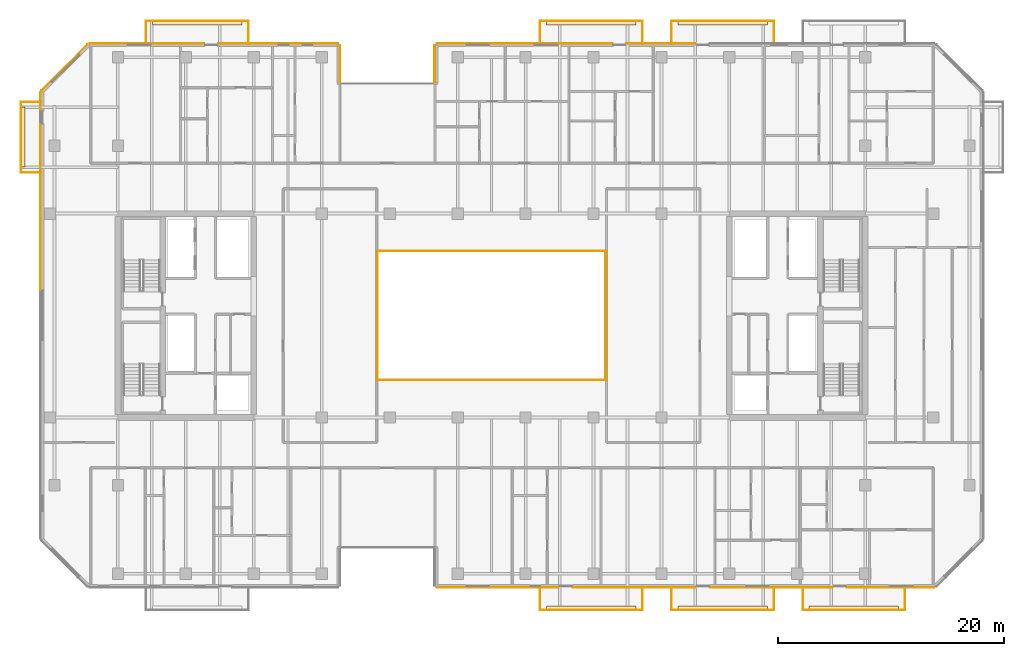
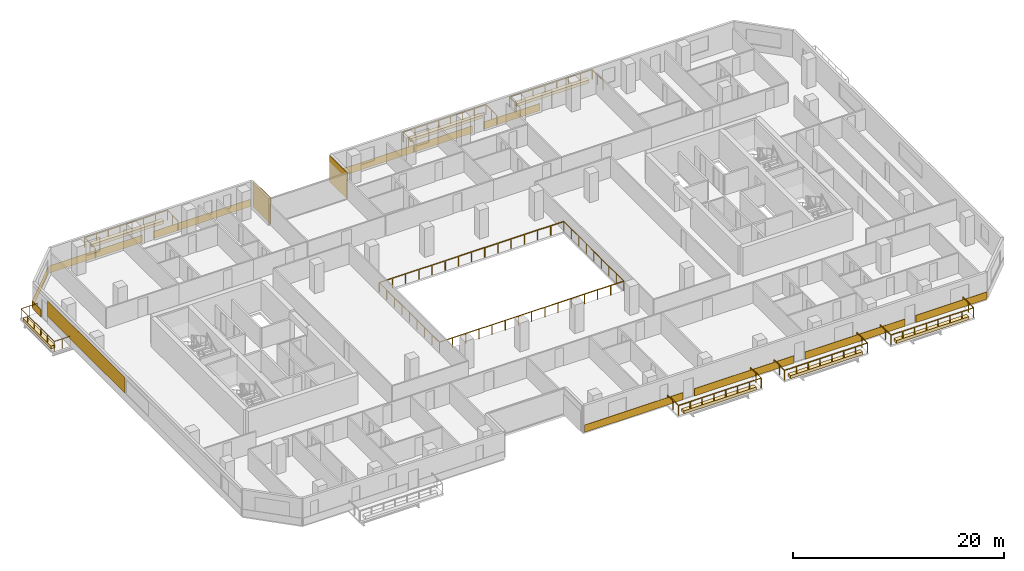
# One storey, part 21 of 23: 20 coverings, 9 railings.
"""IFC4 building model written with IfcOpenShell, lengths in metres."""

import ifcopenshell
import ifcopenshell.guid

model = None  # the IFC model being written
_history = None  # IfcOwnerHistory: only IFC2X3 demands one
_inside = {}  # id of a spatial element -> (the spatial element, [elements in it])
_under = {}  # id of a project, library or spatial element -> (it, [spatial elements below it])
_declared = {}  # id of a project -> (the project, [libraries it declares])
_typed = {}  # id of a type object -> (the type object, [elements of that type])
_made_of = {}  # id of a material, layer set ... -> (it, [elements and type objects made of it])


def new_model(schema):
    """Start an empty IFC model of exactly this schema.

    Asked for "IFC4X3", IfcOpenShell would pick the latest addendum, in which some entities
    have other attributes; the version numbers below select the first issue.
    IFC2X3 requires an IfcOwnerHistory on every rooted entity: one is made here for all.
    """
    global model, _history
    if schema == "IFC4X3":
        model = ifcopenshell.file(schema_version=(4, 3, 0, 0))
    else:
        model = ifcopenshell.file(schema=schema)
    _inside.clear()
    _under.clear()
    _declared.clear()
    _typed.clear()
    _made_of.clear()
    _history = None
    if model.schema == "IFC2X3":
        org = make("IfcOrganization", Name="unknown")
        user = make(
            "IfcPersonAndOrganization",
            ThePerson=make("IfcPerson", FamilyName="unknown"),
            TheOrganization=org,
        )
        app = make(
            "IfcApplication",
            ApplicationDeveloper=org,
            Version="unknown",
            ApplicationFullName="unknown",
            ApplicationIdentifier="unknown",
        )
        _history = make(
            "IfcOwnerHistory",
            OwningUser=user,
            OwningApplication=app,
            ChangeAction="ADDED",
            CreationDate=0,
        )
    return model


def make(cls, **values):
    """One entity of the class cls with the attributes given. An attribute that is None is left unset."""
    return model.create_entity(
        cls, **{name: value for name, value in values.items() if value is not None}
    )


def rooted(cls, **values):
    """An entity with a GlobalId (a new one), such as an element, a storey or a relation."""
    return make(cls, GlobalId=ifcopenshell.guid.new(), OwnerHistory=_history, **values)


def si_unit(unit_type, name, prefix=None):
    """IfcSIUnit, for example si_unit("LENGTHUNIT", "METRE", prefix="MILLI")."""
    return make("IfcSIUnit", UnitType=unit_type, Prefix=prefix, Name=name)


def assignment(units):
    """IfcUnitAssignment: the units of a project."""
    return None if units is None else make("IfcUnitAssignment", Units=units)


def point(xyz):
    """IfcCartesianPoint."""
    return None if xyz is None else make("IfcCartesianPoint", Coordinates=xyz)


def direction(xyz):
    """IfcDirection."""
    return None if xyz is None else make("IfcDirection", DirectionRatios=xyz)


def frame(location, z_axis=None, x_axis=None):
    """IfcAxis2Placement3D, a coordinate frame: its origin and axes. An axis left out is left unset."""
    return make(
        "IfcAxis2Placement3D",
        Location=point(location),
        Axis=direction(z_axis),
        RefDirection=direction(x_axis),
    )


def frame_2d(location, x_axis=None):
    """IfcAxis2Placement2D, a coordinate frame in the plane: its origin and x axis."""
    return make(
        "IfcAxis2Placement2D", Location=point(location), RefDirection=direction(x_axis)
    )


def origin():
    """The frame at (0, 0, 0) with its axes left unset."""
    return frame((0.0, 0.0, 0.0))


def origin_2d():
    """The frame at (0, 0) in the plane with its x axis left unset."""
    return frame_2d((0.0, 0.0))


def place(relative_to, where):
    """IfcLocalPlacement: puts the frame where relative to a parent placement (None: the world)."""
    return make(
        "IfcLocalPlacement", PlacementRelTo=relative_to, RelativePlacement=where
    )


def context(
    kind, dimensions, precision=None, world=None, true_north=None, identifier=None
):
    """IfcGeometricRepresentationContext, for example the 3D "Model" context."""
    return make(
        "IfcGeometricRepresentationContext",
        ContextIdentifier=identifier,
        ContextType=kind,
        CoordinateSpaceDimension=dimensions,
        Precision=precision,
        WorldCoordinateSystem=world,
        TrueNorth=true_north,
    )


def subcontext(parent, identifier, kind, view, scale=None):
    """IfcGeometricRepresentationSubContext, for example "Body" below "Model"."""
    return make(
        "IfcGeometricRepresentationSubContext",
        ContextIdentifier=identifier,
        ContextType=kind,
        ParentContext=parent,
        TargetScale=scale,
        TargetView=view,
    )


def project(units=None, contexts=None):
    """IfcProject with its units and contexts."""
    return rooted(
        "IfcProject",
        Name="project",
        RepresentationContexts=contexts,
        UnitsInContext=assignment(units),
    )


def spatial(cls, under=None, at=None, **own):
    """A site, building, storey or space (cls), placed at a placement, below another one or the project."""
    s = rooted(cls, ObjectPlacement=at, **own)
    if under is not None:
        _under.setdefault(under.id(), (under, []))[1].append(s)
    return s


def polyline(points):
    """IfcPolyline through the points."""
    return make("IfcPolyline", Points=[point(p) for p in points])


def profile(cls, at=None, kind="AREA", **sizes):
    """A parametric profile (cls). Its sizes go by their IFC names, for example OverallWidth=200.0."""
    return make(cls, ProfileType=kind, Position=at, **sizes)


def rectangle(**sizes):
    """IfcRectangleProfileDef."""
    return profile("IfcRectangleProfileDef", **sizes)


def outline(outer, holes=None, kind="AREA"):
    """IfcArbitraryClosedProfileDef: a profile drawn as a closed curve; with holes, ...WithVoids."""
    if holes is None:
        return make("IfcArbitraryClosedProfileDef", ProfileType=kind, OuterCurve=outer)
    return make(
        "IfcArbitraryProfileDefWithVoids",
        ProfileType=kind,
        OuterCurve=outer,
        InnerCurves=holes,
    )


def extrude(swept, where, along, depth):
    """IfcExtrudedAreaSolid: the profile swept, set in the frame where, extruded along a direction by depth."""
    return make(
        "IfcExtrudedAreaSolid",
        SweptArea=swept,
        Position=where,
        ExtrudedDirection=direction(along),
        Depth=depth,
    )


def shape(context_of_items, identifier, shape_type, items):
    """IfcShapeRepresentation: the items that make up one representation, for example the "Body"."""
    return make(
        "IfcShapeRepresentation",
        ContextOfItems=context_of_items,
        RepresentationIdentifier=identifier,
        RepresentationType=shape_type,
        Items=items,
    )


def material(Name=None, Category=None):
    """IfcMaterial."""
    return make("IfcMaterial", Name=Name, Category=Category)


def layer(
    of_material, thickness, ventilated=None, Name=None, Category=None, Priority=None
):
    """IfcMaterialLayer: one layer of a wall or slab, of a material (None: an air gap)."""
    return make(
        "IfcMaterialLayer",
        Material=of_material,
        LayerThickness=thickness,
        IsVentilated=ventilated,
        Name=Name,
        Category=Category,
        Priority=Priority,
    )


def layer_set(layers, Name=None):
    """IfcMaterialLayerSet."""
    return make("IfcMaterialLayerSet", MaterialLayers=layers, LayerSetName=Name)


def made_of(thing, what):
    """Note that an element or type object is made of a material, layer set ...; save() writes the relation."""
    if what is not None:
        _made_of.setdefault(what.id(), (what, []))[1].append(thing)
    return thing


def type_object(cls, material=None, **own):
    """A type object (cls), such as IfcWallType, which elements share."""
    return made_of(rooted(cls, **own), material)


def element(
    cls,
    number,
    at=None,
    inside=None,
    cuts=None,
    type_object=None,
    material=None,
    context=None,
    identifier="Body",
    shape_type=None,
    held_by="IfcProductDefinitionShape",
    body=None,
    shapes=None,
    **own,
):
    """One element of the class cls, such as IfcWall. Its Tag is "e" and its number.

    at: its placement. inside: the storey or other place that contains it. cuts: it is an
    opening in that element (IfcRelVoidsElement). A single representation is given by context,
    identifier, shape_type and body (its items); several are given by shapes. held_by: the class
    of the entity that holds the representations. save() writes the other relations.
    """
    e = rooted(cls, Tag="e%d" % number, ObjectPlacement=at, **own)
    if body is not None:
        shapes = [shape(context, identifier, shape_type, body)]
    if shapes is not None:
        e.Representation = make(held_by, Representations=shapes)
    if inside is not None:
        _inside.setdefault(inside.id(), (inside, []))[1].append(e)
    if cuts is not None:
        rooted(
            "IfcRelVoidsElement", RelatingBuildingElement=cuts, RelatedOpeningElement=e
        )
    if type_object is not None:
        _typed.setdefault(type_object.id(), (type_object, []))[1].append(e)
    return made_of(e, material)


def aggregate(whole, parts):
    """IfcRelAggregates: a whole, such as a stair, and the parts it consists of."""
    return rooted("IfcRelAggregates", RelatingObject=whole, RelatedObjects=parts)


def save(model, path):
    """Write the relations noted so far, then the file.

    IfcRelAggregates (storeys below a building ...), IfcRelContainedInSpatialStructure (elements
    in a storey), IfcRelDefinesByType, IfcRelAssociatesMaterial and IfcRelDeclares: one each for
    every whole, place, type object, material and project.
    """
    for whole, parts in _under.values():
        aggregate(whole, parts)
    for where, things in _inside.values():
        rooted(
            "IfcRelContainedInSpatialStructure",
            RelatedElements=things,
            RelatingStructure=where,
        )
    for kind, things in _typed.values():
        rooted("IfcRelDefinesByType", RelatedObjects=things, RelatingType=kind)
    for what, things in _made_of.values():
        rooted("IfcRelAssociatesMaterial", RelatedObjects=things, RelatingMaterial=what)
    for by, libraries in _declared.values():
        rooted("IfcRelDeclares", RelatingContext=by, RelatedDefinitions=libraries)
    model.write(path)


model = new_model("IFC4")

# Units and contexts
model_context = context("Model", 3, precision=1e-05, world=origin(), true_north=direction((0.0, 1.0)))
body_context = subcontext(model_context, "Body", "Model", "MODEL_VIEW")
ifc_project = project(units=[si_unit("LENGTHUNIT", "METRE"), si_unit("AREAUNIT", "SQUARE_METRE"), si_unit("VOLUMEUNIT", "CUBIC_METRE"), si_unit("PLANEANGLEUNIT", "RADIAN"), si_unit("MASSUNIT", "GRAM", prefix="KILO")], contexts=[model_context])

# Site, building, storey
site_placement = place(None, origin())
site = spatial("IfcSite", under=ifc_project, at=site_placement, CompositionType="ELEMENT")
building_placement = place(site_placement, origin())
building = spatial("IfcBuilding", under=site, at=building_placement, Name="Tanjung Sevakor Pilgrim Tower", CompositionType="ELEMENT")
storey_placement = place(building_placement, frame((0.0, 0.0, 82.169921875)))
storey = spatial("IfcBuildingStorey", under=building, at=storey_placement, Name="L22", CompositionType="ELEMENT", Elevation=82.169921875)

# Coverings
ifc_material_1 = material(Name="Reconstructed Limestone Cladding", Category="masonry")
ifc_layer_1 = layer(ifc_material_1, 0.044921875)
ifc_layer_set_1 = layer_set([ifc_layer_1], Name="COV-CLAD-LIMESTONE")
covering_type_1 = type_object("IfcCoveringType", Name="COV-CLAD-LIMESTONE", PredefinedType="CLADDING", material=ifc_layer_set_1)
covering_1_placement = place(storey_placement, frame((57.552490234375, 9.577392578125, 0.01025390625), z_axis=(0.0, 0.0, 1.0), x_axis=(1.0, 0.0, 0.0)))
element("IfcCovering", 1, at=covering_1_placement, inside=storey, type_object=covering_type_1, Name="L22 Warm Limestone Sill Spandrel EW-L22-MAIN-5-1", PredefinedType="CLADDING", context=body_context, shape_type="SweptSolid", body=[
    extrude(rectangle(XDim=10.77490234375, YDim=0.044921875, at=origin_2d()), origin(), (0.0, 0.0, 1.0), 0.840087890625),
])
for number, where, z_axis, x_axis, name in (
    (2, (69.60009765625, 9.577392578125, 0.01025390625), (0.0, 0.0, 1.0), (1.0, 0.0, 0.0), "L22 Warm Limestone Sill Spandrel EW-L22-MAIN-5-2"),
    (3, (81.699951171875, 9.577392578125, 0.01025390625), (0.0, 0.0, 1.0), (1.0, 0.0, 0.0), "L22 Warm Limestone Sill Spandrel EW-L22-MAIN-5-3"),
):
    element("IfcCovering", number, at=place(storey_placement, frame(where, z_axis=z_axis, x_axis=x_axis)), inside=storey, type_object=covering_type_1, Name=name, PredefinedType="CLADDING", context=body_context, shape_type="SweptSolid", body=[
        extrude(rectangle(XDim=10.8798828125, YDim=0.044921875, at=origin_2d()), origin(), (0.0, 0.0, 1.0), 0.840087890625),
    ])
covering_2_placement = place(storey_placement, frame((92.234130859375, 9.577392578125, 0.01025390625), z_axis=(0.0, 0.0, 1.0), x_axis=(1.0, 0.0, 0.0)))
element("IfcCovering", 4, at=covering_2_placement, inside=storey, type_object=covering_type_1, Name="L22 Warm Limestone Sill Spandrel EW-L22-MAIN-5-4", PredefinedType="CLADDING", context=body_context, shape_type="SweptSolid", body=[
    extrude(rectangle(XDim=7.748291015625, YDim=0.044921875, at=origin_2d()), origin(), (0.0, 0.0, 1.0), 0.840087890625),
])
covering_3_placement = place(storey_placement, frame((71.97509765625, 57.62255859375, 0.01025390625), z_axis=(0.0, 0.0, 1.0), x_axis=(-1.0, 0.0, 0.0)))
element("IfcCovering", 5, at=covering_3_placement, inside=storey, type_object=covering_type_1, Name="L22 Warm Limestone Sill Spandrel EW-L22-MAIN-9-3", PredefinedType="CLADDING", context=body_context, shape_type="SweptSolid", body=[
    extrude(rectangle(XDim=6.1298828125, YDim=0.044921875, at=origin_2d()), origin(), (0.0, 0.0, 1.0), 0.840087890625),
])
covering_4_placement = place(storey_placement, frame((59.927490234375, 57.62255859375, 0.01025390625), z_axis=(0.0, 0.0, 1.0), x_axis=(-1.0, 0.0, 0.0)))
element("IfcCovering", 6, at=covering_4_placement, inside=storey, type_object=covering_type_1, Name="L22 Warm Limestone Sill Spandrel EW-L22-MAIN-9-4", PredefinedType="CLADDING", context=body_context, shape_type="SweptSolid", body=[
    extrude(rectangle(XDim=15.52490234375, YDim=0.044921875, at=origin_2d()), origin(), (0.0, 0.0, 1.0), 0.840087890625),
])
for number, where, z_axis, x_axis, name in (
    (7, (51.9775390625, 55.77490234375, 0.02001953125), (0.0, 0.0, 1.0), (0.0, -1.0, 0.0), "L22 Warm Limestone Wall Cladding EW-L22-MAIN-10"),
    (8, (43.62255859375, 55.77490234375, 0.02001953125), (0.0, 0.0, 1.0), (0.0, 1.0, 0.0), "L22 Warm Limestone Wall Cladding EW-L22-MAIN-12"),
):
    element("IfcCovering", number, at=place(storey_placement, frame(where, z_axis=z_axis, x_axis=x_axis)), inside=storey, type_object=covering_type_1, Name=name, PredefinedType="CLADDING", context=body_context, shape_type="SweptSolid", body=[
        extrude(rectangle(XDim=3.360107421875, YDim=0.044921875, at=origin_2d()), origin(), (0.0, 0.0, 1.0), 3.0400390625),
    ])
covering_5_placement = place(storey_placement, frame((38.1474609375, 57.62255859375, 0.01025390625), z_axis=(0.0, 0.0, 1.0), x_axis=(-1.0, 0.0, 0.0)))
element("IfcCovering", 9, at=covering_5_placement, inside=storey, type_object=covering_type_1, Name="L22 Warm Limestone Sill Spandrel EW-L22-MAIN-13-1", PredefinedType="CLADDING", context=body_context, shape_type="SweptSolid", body=[
    extrude(rectangle(XDim=10.574951171875, YDim=0.044921875, at=origin_2d()), origin(), (0.0, 0.0, 1.0), 0.840087890625),
])
covering_6_placement = place(storey_placement, frame((26.56591796875, 57.62255859375, 0.01025390625), z_axis=(0.0, 0.0, 1.0), x_axis=(-1.0, 0.0, 0.0)))
element("IfcCovering", 10, at=covering_6_placement, inside=storey, type_object=covering_type_1, Name="L22 Warm Limestone Sill Spandrel EW-L22-MAIN-13-2", PredefinedType="CLADDING", context=body_context, shape_type="SweptSolid", body=[
    extrude(rectangle(XDim=10.148193359375, YDim=0.044921875, at=origin_2d()), origin(), (0.0, 0.0, 1.0), 0.840087890625),
])
covering_7_placement = place(storey_placement, frame((19.2841796875, 55.515869140625, 0.01025390625), z_axis=(0.0, 0.0, 1.0), x_axis=(-0.707106781187, -0.707106781187, 0.0)))
element("IfcCovering", 11, at=covering_7_placement, inside=storey, type_object=covering_type_1, Name="L22 Warm Limestone Sill Spandrel EW-CHM-L22-MAIN-13-1", PredefinedType="CLADDING", context=body_context, shape_type="SweptSolid", body=[
    extrude(rectangle(XDim=5.756103515625, YDim=0.044921875, at=origin_2d()), origin(), (0.0, 0.0, 1.0), 0.840087890625),
])
covering_8_placement = place(storey_placement, frame((17.177490234375, 52.509033203125, 0.01025390625), z_axis=(0.0, 0.0, 1.0), x_axis=(0.0, -1.0, 0.0)))
element("IfcCovering", 12, at=covering_8_placement, inside=storey, type_object=covering_type_1, Name="L22 Warm Limestone Sill Spandrel EW-L22-MAIN-15-1", PredefinedType="CLADDING", context=body_context, shape_type="SweptSolid", body=[
    extrude(rectangle(XDim=1.59814453125, YDim=0.044921875, at=origin_2d()), origin(), (0.0, 0.0, 1.0), 0.840087890625),
])
covering_9_placement = place(storey_placement, frame((17.177490234375, 43.175048828125, 0.85009765625), z_axis=(0.0, 0.0, 1.0), x_axis=(0.0, -1.0, 0.0)))
element("IfcCovering", 13, at=covering_9_placement, inside=storey, type_object=covering_type_1, Name="L22 Warm Limestone Pier Panel EW-L22-MAIN-15-1", PredefinedType="CLADDING", context=body_context, shape_type="SweptSolid", body=[
    extrude(rectangle(XDim=14.64990234375, YDim=0.044921875, at=origin_2d()), origin(), (0.0, 0.0, 1.0), 1.81005859375),
])
ifc_material_2 = material(Name="Vegetated Modular Planter Assembly", Category="organic")
ifc_layer_2 = layer(ifc_material_2, 0.35009765625)
ifc_layer_set_2 = layer_set([ifc_layer_2], Name="COV-GRN-TROUGH")
covering_type_2 = type_object("IfcCoveringType", Name="COV-GRN-TROUGH", PredefinedType="CLADDING", material=ifc_layer_set_2)
covering_10_placement = place(storey_placement, origin())
element("IfcCovering", 14, at=covering_10_placement, inside=storey, type_object=covering_type_2, Name="L22 Planted Landscape Hedge Trough BGRN-L22-MAIN-N1", PredefinedType="CLADDING", context=body_context, shape_type="SweptSolid", body=[
    extrude(outline(polyline([(27.050048828125, 59.260009765625), (34.949951171875, 59.260009765625), (34.949951171875, 59.699951171875), (27.050048828125, 59.699951171875), (27.050048828125, 59.260009765625)])), origin(), (0.0, 0.0, 1.0), 0.35009765625),
])
covering_11_placement = place(storey_placement, origin())
element("IfcCovering", 15, at=covering_11_placement, inside=storey, type_object=covering_type_2, Name="L22 Planted Landscape Hedge Trough BGRN-L22-MAIN-S2", PredefinedType="CLADDING", context=body_context, shape_type="SweptSolid", body=[
    extrude(outline(polyline([(61.85009765625, 7.5), (69.75, 7.5), (69.75, 7.93994140625), (61.85009765625, 7.93994140625), (61.85009765625, 7.5)])), origin(), (0.0, 0.0, 1.0), 0.35009765625),
])
covering_12_placement = place(storey_placement, origin())
element("IfcCovering", 16, at=covering_12_placement, inside=storey, type_object=covering_type_2, Name="L22 Planted Landscape Hedge Trough BGRN-L22-MAIN-N2", PredefinedType="CLADDING", context=body_context, shape_type="SweptSolid", body=[
    extrude(outline(polyline([(61.85009765625, 59.260009765625), (69.75, 59.260009765625), (69.75, 59.699951171875), (61.85009765625, 59.699951171875), (61.85009765625, 59.260009765625)])), origin(), (0.0, 0.0, 1.0), 0.35009765625),
])
covering_13_placement = place(storey_placement, origin())
element("IfcCovering", 17, at=covering_13_placement, inside=storey, type_object=covering_type_2, Name="L22 Planted Landscape Hedge Trough BGRN-L22-MAIN-S3", PredefinedType="CLADDING", context=body_context, shape_type="SweptSolid", body=[
    extrude(outline(polyline([(73.449951171875, 7.5), (81.35009765625, 7.5), (81.35009765625, 7.93994140625), (73.449951171875, 7.93994140625), (73.449951171875, 7.5)])), origin(), (0.0, 0.0, 1.0), 0.35009765625),
])
covering_14_placement = place(storey_placement, origin())
element("IfcCovering", 18, at=covering_14_placement, inside=storey, type_object=covering_type_2, Name="L22 Planted Landscape Hedge Trough BGRN-L22-MAIN-N3", PredefinedType="CLADDING", context=body_context, shape_type="SweptSolid", body=[
    extrude(outline(polyline([(73.449951171875, 59.260009765625), (81.35009765625, 59.260009765625), (81.35009765625, 59.699951171875), (73.449951171875, 59.699951171875), (73.449951171875, 59.260009765625)])), origin(), (0.0, 0.0, 1.0), 0.35009765625),
])
covering_15_placement = place(storey_placement, origin())
element("IfcCovering", 19, at=covering_15_placement, inside=storey, type_object=covering_type_2, Name="L22 Planted Landscape Hedge Trough BGRN-L22-MAIN-S4", PredefinedType="CLADDING", context=body_context, shape_type="SweptSolid", body=[
    extrude(outline(polyline([(85.050048828125, 7.5), (92.949951171875, 7.5), (92.949951171875, 7.93994140625), (85.050048828125, 7.93994140625), (85.050048828125, 7.5)])), origin(), (0.0, 0.0, 1.0), 0.35009765625),
])
covering_16_placement = place(storey_placement, origin())
element("IfcCovering", 20, at=covering_16_placement, inside=storey, type_object=covering_type_2, Name="L22 Planted Landscape Hedge Trough BGRN-L22-MAIN-W1", PredefinedType="CLADDING", context=body_context, shape_type="SweptSolid", body=[
    extrude(outline(polyline([(15.7900390625, 46.699951171875), (15.7900390625, 52.0), (15.35009765625, 52.0), (15.35009765625, 46.699951171875), (15.7900390625, 46.699951171875)])), origin(), (0.0, 0.0, 1.0), 0.35009765625),
])

# Railings
ifc_material_3 = material(Name="Laminated Glass and Aluminium", Category="aluminium")
railing_type = type_object("IfcRailingType", Name="RL-BAL-BALUST", PredefinedType="BALUSTRADE", material=ifc_material_3)
railing_1_placement = place(storey_placement, frame((46.919921875, 27.919921875, 0.0)))
element("IfcRailing", 21, at=railing_1_placement, inside=storey, type_object=railing_type, Name="L22 Void Opening Balustrade 1A", PredefinedType="BALUSTRADE", context=body_context, shape_type="SweptSolid", body=[
    extrude(rectangle(XDim=0.0479, YDim=0.0479), frame((0.0, 0.0, 1.1259765625), z_axis=(1.0, 0.0, 0.0), x_axis=(0.0, 1.0, 0.0)), (0.0, 0.0, 1.0), 20.16015625),
    extrude(rectangle(XDim=0.0479, YDim=0.0479), frame((20.16015625, 0.0, 1.1259765625), z_axis=(0.0, 1.0, 0.0), x_axis=(-1.0, 0.0, 0.0)), (0.0, 0.0, 1.0), 11.360107421875),
    extrude(rectangle(XDim=0.042, YDim=0.042), origin(), (0.0, 0.0, 1.0), 1.101806640625),
    extrude(rectangle(XDim=0.042, YDim=0.042), frame((1.43994140625, 0.0, 0.0)), (0.0, 0.0, 1.0), 1.101806640625),
    extrude(rectangle(XDim=0.042, YDim=0.042), frame((2.880126953125, 0.0, 0.0)), (0.0, 0.0, 1.0), 1.101806640625),
    extrude(rectangle(XDim=0.042, YDim=0.042), frame((4.320068359375, 0.0, 0.0)), (0.0, 0.0, 1.0), 1.101806640625),
    extrude(rectangle(XDim=0.042, YDim=0.042), frame((5.760009765625, 0.0, 0.0)), (0.0, 0.0, 1.0), 1.101806640625),
    extrude(rectangle(XDim=0.042, YDim=0.042), frame((7.199951171875, 0.0, 0.0)), (0.0, 0.0, 1.0), 1.101806640625),
    extrude(rectangle(XDim=0.042, YDim=0.042), frame((8.64013671875, 0.0, 0.0)), (0.0, 0.0, 1.0), 1.101806640625),
    extrude(rectangle(XDim=0.042, YDim=0.042), frame((10.080078125, 0.0, 0.0)), (0.0, 0.0, 1.0), 1.101806640625),
    extrude(rectangle(XDim=0.042, YDim=0.042), frame((11.52001953125, 0.0, 0.0)), (0.0, 0.0, 1.0), 1.101806640625),
    extrude(rectangle(XDim=0.042, YDim=0.042), frame((12.960205078125, 0.0, 0.0)), (0.0, 0.0, 1.0), 1.101806640625),
    extrude(rectangle(XDim=0.042, YDim=0.042), frame((14.400146484375, 0.0, 0.0)), (0.0, 0.0, 1.0), 1.101806640625),
    extrude(rectangle(XDim=0.042, YDim=0.042), frame((15.840087890625, 0.0, 0.0)), (0.0, 0.0, 1.0), 1.101806640625),
    extrude(rectangle(XDim=0.042, YDim=0.042), frame((17.280029296875, 0.0, 0.0)), (0.0, 0.0, 1.0), 1.101806640625),
    extrude(rectangle(XDim=0.042, YDim=0.042), frame((18.72021484375, 0.0, 0.0)), (0.0, 0.0, 1.0), 1.101806640625),
    extrude(rectangle(XDim=0.042, YDim=0.042), frame((20.16015625, 0.0, 0.0)), (0.0, 0.0, 1.0), 1.101806640625),
    extrude(rectangle(XDim=0.042, YDim=0.042), frame((20.16015625, 1.419921875, 0.0)), (0.0, 0.0, 1.0), 1.101806640625),
    extrude(rectangle(XDim=0.042, YDim=0.042), frame((20.16015625, 2.840087890625, 0.0)), (0.0, 0.0, 1.0), 1.101806640625),
    extrude(rectangle(XDim=0.042, YDim=0.042), frame((20.16015625, 4.260009765625, 0.0)), (0.0, 0.0, 1.0), 1.101806640625),
    extrude(rectangle(XDim=0.042, YDim=0.042), frame((20.16015625, 5.68017578125, 0.0)), (0.0, 0.0, 1.0), 1.101806640625),
    extrude(rectangle(XDim=0.042, YDim=0.042), frame((20.16015625, 7.10009765625, 0.0)), (0.0, 0.0, 1.0), 1.101806640625),
    extrude(rectangle(XDim=0.042, YDim=0.042), frame((20.16015625, 8.52001953125, 0.0)), (0.0, 0.0, 1.0), 1.101806640625),
    extrude(rectangle(XDim=0.042, YDim=0.042), frame((20.16015625, 9.940185546875, 0.0)), (0.0, 0.0, 1.0), 1.101806640625),
    extrude(rectangle(XDim=0.042, YDim=0.042), frame((20.16015625, 11.360107421875, 0.0)), (0.0, 0.0, 1.0), 1.101806640625),
])
railing_2_placement = place(storey_placement, frame((67.080078125, 39.280029296875, 0.0)))
element("IfcRailing", 22, at=railing_2_placement, inside=storey, type_object=railing_type, Name="L22 Void Opening Balustrade 1B", PredefinedType="BALUSTRADE", context=body_context, shape_type="SweptSolid", body=[
    extrude(rectangle(XDim=0.0479, YDim=0.0479), frame((0.0, 0.0, 1.1259765625), z_axis=(-1.0, 0.0, 0.0), x_axis=(0.0, -1.0, 0.0)), (0.0, 0.0, 1.0), 20.16015625),
    extrude(rectangle(XDim=0.0479, YDim=0.0479), frame((-20.16015625, 0.0, 1.1259765625), z_axis=(0.0, -1.0, 0.0), x_axis=(1.0, 0.0, 0.0)), (0.0, 0.0, 1.0), 11.360107421875),
    extrude(rectangle(XDim=0.042, YDim=0.042), origin(), (0.0, 0.0, 1.0), 1.101806640625),
    extrude(rectangle(XDim=0.042, YDim=0.042), frame((-1.43994140625, 0.0, 0.0)), (0.0, 0.0, 1.0), 1.101806640625),
    extrude(rectangle(XDim=0.042, YDim=0.042), frame((-2.880126953125, 0.0, 0.0)), (0.0, 0.0, 1.0), 1.101806640625),
    extrude(rectangle(XDim=0.042, YDim=0.042), frame((-4.320068359375, 0.0, 0.0)), (0.0, 0.0, 1.0), 1.101806640625),
    extrude(rectangle(XDim=0.042, YDim=0.042), frame((-5.760009765625, 0.0, 0.0)), (0.0, 0.0, 1.0), 1.101806640625),
    extrude(rectangle(XDim=0.042, YDim=0.042), frame((-7.199951171875, 0.0, 0.0)), (0.0, 0.0, 1.0), 1.101806640625),
    extrude(rectangle(XDim=0.042, YDim=0.042), frame((-8.64013671875, 0.0, 0.0)), (0.0, 0.0, 1.0), 1.101806640625),
    extrude(rectangle(XDim=0.042, YDim=0.042), frame((-10.080078125, 0.0, 0.0)), (0.0, 0.0, 1.0), 1.101806640625),
    extrude(rectangle(XDim=0.042, YDim=0.042), frame((-11.52001953125, 0.0, 0.0)), (0.0, 0.0, 1.0), 1.101806640625),
    extrude(rectangle(XDim=0.042, YDim=0.042), frame((-12.960205078125, 0.0, 0.0)), (0.0, 0.0, 1.0), 1.101806640625),
    extrude(rectangle(XDim=0.042, YDim=0.042), frame((-14.400146484375, 0.0, 0.0)), (0.0, 0.0, 1.0), 1.101806640625),
    extrude(rectangle(XDim=0.042, YDim=0.042), frame((-15.840087890625, 0.0, 0.0)), (0.0, 0.0, 1.0), 1.101806640625),
    extrude(rectangle(XDim=0.042, YDim=0.042), frame((-17.280029296875, 0.0, 0.0)), (0.0, 0.0, 1.0), 1.101806640625),
    extrude(rectangle(XDim=0.042, YDim=0.042), frame((-18.72021484375, 0.0, 0.0)), (0.0, 0.0, 1.0), 1.101806640625),
    extrude(rectangle(XDim=0.042, YDim=0.042), frame((-20.16015625, 0.0, 0.0)), (0.0, 0.0, 1.0), 1.101806640625),
    extrude(rectangle(XDim=0.042, YDim=0.042), frame((-20.16015625, -1.419921875, 0.0)), (0.0, 0.0, 1.0), 1.101806640625),
    extrude(rectangle(XDim=0.042, YDim=0.042), frame((-20.16015625, -2.840087890625, 0.0)), (0.0, 0.0, 1.0), 1.101806640625),
    extrude(rectangle(XDim=0.042, YDim=0.042), frame((-20.16015625, -4.260009765625, 0.0)), (0.0, 0.0, 1.0), 1.101806640625),
    extrude(rectangle(XDim=0.042, YDim=0.042), frame((-20.16015625, -5.68017578125, 0.0)), (0.0, 0.0, 1.0), 1.101806640625),
    extrude(rectangle(XDim=0.042, YDim=0.042), frame((-20.16015625, -7.10009765625, 0.0)), (0.0, 0.0, 1.0), 1.101806640625),
    extrude(rectangle(XDim=0.042, YDim=0.042), frame((-20.16015625, -8.52001953125, 0.0)), (0.0, 0.0, 1.0), 1.101806640625),
    extrude(rectangle(XDim=0.042, YDim=0.042), frame((-20.16015625, -9.940185546875, 0.0)), (0.0, 0.0, 1.0), 1.101806640625),
    extrude(rectangle(XDim=0.042, YDim=0.042), frame((-20.16015625, -11.360107421875, 0.0)), (0.0, 0.0, 1.0), 1.101806640625),
])
railing_3_placement = place(storey_placement, frame((26.47998046875, 57.60009765625, 0.0)))
element("IfcRailing", 23, at=railing_3_placement, inside=storey, type_object=railing_type, Name="L22 Loggia Balustrade MAIN-N1", PredefinedType="BALUSTRADE", context=body_context, shape_type="SweptSolid", body=[
    extrude(rectangle(XDim=0.0479, YDim=0.0479), frame((0.0, 0.0, 1.1259765625), z_axis=(0.0, 1.0, 0.0), x_axis=(-1.0, 0.0, 0.0)), (0.0, 0.0, 1.0), 2.02001953125),
    extrude(rectangle(XDim=0.0479, YDim=0.0479), frame((0.0, 2.02001953125, 1.1259765625), z_axis=(1.0, 0.0, 0.0), x_axis=(0.0, 1.0, 0.0)), (0.0, 0.0, 1.0), 9.0400390625),
    extrude(rectangle(XDim=0.0479, YDim=0.0479), frame((9.0400390625, 2.02001953125, 1.1259765625), z_axis=(0.0, -1.0, 0.0), x_axis=(1.0, 0.0, 0.0)), (0.0, 0.0, 1.0), 2.02001953125),
    extrude(rectangle(XDim=0.042, YDim=0.042), origin(), (0.0, 0.0, 1.0), 1.101806640625),
    extrude(rectangle(XDim=0.042, YDim=0.042), frame((0.0, 1.010009765625, 0.0)), (0.0, 0.0, 1.0), 1.101806640625),
    extrude(rectangle(XDim=0.042, YDim=0.042), frame((0.0, 2.02001953125, 0.0)), (0.0, 0.0, 1.0), 1.101806640625),
    extrude(rectangle(XDim=0.042, YDim=0.042), frame((1.29150390625, 2.02001953125, 0.0)), (0.0, 0.0, 1.0), 1.101806640625),
    extrude(rectangle(XDim=0.042, YDim=0.042), frame((2.582763671875, 2.02001953125, 0.0)), (0.0, 0.0, 1.0), 1.101806640625),
    extrude(rectangle(XDim=0.042, YDim=0.042), frame((3.874267578125, 2.02001953125, 0.0)), (0.0, 0.0, 1.0), 1.101806640625),
    extrude(rectangle(XDim=0.042, YDim=0.042), frame((5.165771484375, 2.02001953125, 0.0)), (0.0, 0.0, 1.0), 1.101806640625),
    extrude(rectangle(XDim=0.042, YDim=0.042), frame((6.457275390625, 2.02001953125, 0.0)), (0.0, 0.0, 1.0), 1.101806640625),
    extrude(rectangle(XDim=0.042, YDim=0.042), frame((7.74853515625, 2.02001953125, 0.0)), (0.0, 0.0, 1.0), 1.101806640625),
    extrude(rectangle(XDim=0.042, YDim=0.042), frame((9.0400390625, 2.02001953125, 0.0)), (0.0, 0.0, 1.0), 1.101806640625),
    extrude(rectangle(XDim=0.042, YDim=0.042), frame((9.0400390625, 1.010009765625, 0.0)), (0.0, 0.0, 1.0), 1.101806640625),
    extrude(rectangle(XDim=0.042, YDim=0.042), frame((9.0400390625, 0.0, 0.0)), (0.0, 0.0, 1.0), 1.101806640625),
])
railing_4_placement = place(storey_placement, frame((61.280029296875, 9.60009765625, 0.0)))
element("IfcRailing", 24, at=railing_4_placement, inside=storey, type_object=railing_type, Name="L22 Loggia Balustrade MAIN-S2", PredefinedType="BALUSTRADE", context=body_context, shape_type="SweptSolid", body=[
    extrude(rectangle(XDim=0.0479, YDim=0.0479), frame((0.0, 0.0, 1.1259765625), z_axis=(0.0, -1.0, 0.0), x_axis=(1.0, 0.0, 0.0)), (0.0, 0.0, 1.0), 2.02001953125),
    extrude(rectangle(XDim=0.0479, YDim=0.0479), frame((0.0, -2.02001953125, 1.1259765625), z_axis=(1.0, 0.0, 0.0), x_axis=(0.0, 1.0, 0.0)), (0.0, 0.0, 1.0), 9.0400390625),
    extrude(rectangle(XDim=0.0479, YDim=0.0479), frame((9.0400390625, -2.02001953125, 1.1259765625), z_axis=(0.0, 1.0, 0.0), x_axis=(-1.0, 0.0, 0.0)), (0.0, 0.0, 1.0), 2.02001953125),
    extrude(rectangle(XDim=0.042, YDim=0.042), origin(), (0.0, 0.0, 1.0), 1.101806640625),
    extrude(rectangle(XDim=0.042, YDim=0.042), frame((0.0, -1.010009765625, 0.0)), (0.0, 0.0, 1.0), 1.101806640625),
    extrude(rectangle(XDim=0.042, YDim=0.042), frame((0.0, -2.02001953125, 0.0)), (0.0, 0.0, 1.0), 1.101806640625),
    extrude(rectangle(XDim=0.042, YDim=0.042), frame((1.29150390625, -2.02001953125, 0.0)), (0.0, 0.0, 1.0), 1.101806640625),
    extrude(rectangle(XDim=0.042, YDim=0.042), frame((2.582763671875, -2.02001953125, 0.0)), (0.0, 0.0, 1.0), 1.101806640625),
    extrude(rectangle(XDim=0.042, YDim=0.042), frame((3.874267578125, -2.02001953125, 0.0)), (0.0, 0.0, 1.0), 1.101806640625),
    extrude(rectangle(XDim=0.042, YDim=0.042), frame((5.165771484375, -2.02001953125, 0.0)), (0.0, 0.0, 1.0), 1.101806640625),
    extrude(rectangle(XDim=0.042, YDim=0.042), frame((6.457275390625, -2.02001953125, 0.0)), (0.0, 0.0, 1.0), 1.101806640625),
    extrude(rectangle(XDim=0.042, YDim=0.042), frame((7.74853515625, -2.02001953125, 0.0)), (0.0, 0.0, 1.0), 1.101806640625),
    extrude(rectangle(XDim=0.042, YDim=0.042), frame((9.0400390625, -2.02001953125, 0.0)), (0.0, 0.0, 1.0), 1.101806640625),
    extrude(rectangle(XDim=0.042, YDim=0.042), frame((9.0400390625, -1.010009765625, 0.0)), (0.0, 0.0, 1.0), 1.101806640625),
    extrude(rectangle(XDim=0.042, YDim=0.042), frame((9.0400390625, 0.0, 0.0)), (0.0, 0.0, 1.0), 1.101806640625),
])
railing_5_placement = place(storey_placement, frame((61.280029296875, 57.60009765625, 0.0)))
element("IfcRailing", 25, at=railing_5_placement, inside=storey, type_object=railing_type, Name="L22 Loggia Balustrade MAIN-N2", PredefinedType="BALUSTRADE", context=body_context, shape_type="SweptSolid", body=[
    extrude(rectangle(XDim=0.0479, YDim=0.0479), frame((0.0, 0.0, 1.1259765625), z_axis=(0.0, 1.0, 0.0), x_axis=(-1.0, 0.0, 0.0)), (0.0, 0.0, 1.0), 2.02001953125),
    extrude(rectangle(XDim=0.0479, YDim=0.0479), frame((0.0, 2.02001953125, 1.1259765625), z_axis=(1.0, 0.0, 0.0), x_axis=(0.0, 1.0, 0.0)), (0.0, 0.0, 1.0), 9.0400390625),
    extrude(rectangle(XDim=0.0479, YDim=0.0479), frame((9.0400390625, 2.02001953125, 1.1259765625), z_axis=(0.0, -1.0, 0.0), x_axis=(1.0, 0.0, 0.0)), (0.0, 0.0, 1.0), 2.02001953125),
    extrude(rectangle(XDim=0.042, YDim=0.042), origin(), (0.0, 0.0, 1.0), 1.101806640625),
    extrude(rectangle(XDim=0.042, YDim=0.042), frame((0.0, 1.010009765625, 0.0)), (0.0, 0.0, 1.0), 1.101806640625),
    extrude(rectangle(XDim=0.042, YDim=0.042), frame((0.0, 2.02001953125, 0.0)), (0.0, 0.0, 1.0), 1.101806640625),
    extrude(rectangle(XDim=0.042, YDim=0.042), frame((1.29150390625, 2.02001953125, 0.0)), (0.0, 0.0, 1.0), 1.101806640625),
    extrude(rectangle(XDim=0.042, YDim=0.042), frame((2.582763671875, 2.02001953125, 0.0)), (0.0, 0.0, 1.0), 1.101806640625),
    extrude(rectangle(XDim=0.042, YDim=0.042), frame((3.874267578125, 2.02001953125, 0.0)), (0.0, 0.0, 1.0), 1.101806640625),
    extrude(rectangle(XDim=0.042, YDim=0.042), frame((5.165771484375, 2.02001953125, 0.0)), (0.0, 0.0, 1.0), 1.101806640625),
    extrude(rectangle(XDim=0.042, YDim=0.042), frame((6.457275390625, 2.02001953125, 0.0)), (0.0, 0.0, 1.0), 1.101806640625),
    extrude(rectangle(XDim=0.042, YDim=0.042), frame((7.74853515625, 2.02001953125, 0.0)), (0.0, 0.0, 1.0), 1.101806640625),
    extrude(rectangle(XDim=0.042, YDim=0.042), frame((9.0400390625, 2.02001953125, 0.0)), (0.0, 0.0, 1.0), 1.101806640625),
    extrude(rectangle(XDim=0.042, YDim=0.042), frame((9.0400390625, 1.010009765625, 0.0)), (0.0, 0.0, 1.0), 1.101806640625),
    extrude(rectangle(XDim=0.042, YDim=0.042), frame((9.0400390625, 0.0, 0.0)), (0.0, 0.0, 1.0), 1.101806640625),
])
railing_6_placement = place(storey_placement, frame((72.8798828125, 9.60009765625, 0.0)))
element("IfcRailing", 26, at=railing_6_placement, inside=storey, type_object=railing_type, Name="L22 Loggia Balustrade MAIN-S3", PredefinedType="BALUSTRADE", context=body_context, shape_type="SweptSolid", body=[
    extrude(rectangle(XDim=0.0479, YDim=0.0479), frame((0.0, 0.0, 1.1259765625), z_axis=(0.0, -1.0, 0.0), x_axis=(1.0, 0.0, 0.0)), (0.0, 0.0, 1.0), 2.02001953125),
    extrude(rectangle(XDim=0.0479, YDim=0.0479), frame((0.0, -2.02001953125, 1.1259765625), z_axis=(1.0, 0.0, 0.0), x_axis=(0.0, 1.0, 0.0)), (0.0, 0.0, 1.0), 9.0400390625),
    extrude(rectangle(XDim=0.0479, YDim=0.0479), frame((9.0400390625, -2.02001953125, 1.1259765625), z_axis=(0.0, 1.0, 0.0), x_axis=(-1.0, 0.0, 0.0)), (0.0, 0.0, 1.0), 2.02001953125),
    extrude(rectangle(XDim=0.042, YDim=0.042), origin(), (0.0, 0.0, 1.0), 1.101806640625),
    extrude(rectangle(XDim=0.042, YDim=0.042), frame((0.0, -1.010009765625, 0.0)), (0.0, 0.0, 1.0), 1.101806640625),
    extrude(rectangle(XDim=0.042, YDim=0.042), frame((0.0, -2.02001953125, 0.0)), (0.0, 0.0, 1.0), 1.101806640625),
    extrude(rectangle(XDim=0.042, YDim=0.042), frame((1.29150390625, -2.02001953125, 0.0)), (0.0, 0.0, 1.0), 1.101806640625),
    extrude(rectangle(XDim=0.042, YDim=0.042), frame((2.582763671875, -2.02001953125, 0.0)), (0.0, 0.0, 1.0), 1.101806640625),
    extrude(rectangle(XDim=0.042, YDim=0.042), frame((3.874267578125, -2.02001953125, 0.0)), (0.0, 0.0, 1.0), 1.101806640625),
    extrude(rectangle(XDim=0.042, YDim=0.042), frame((5.165771484375, -2.02001953125, 0.0)), (0.0, 0.0, 1.0), 1.101806640625),
    extrude(rectangle(XDim=0.042, YDim=0.042), frame((6.457275390625, -2.02001953125, 0.0)), (0.0, 0.0, 1.0), 1.101806640625),
    extrude(rectangle(XDim=0.042, YDim=0.042), frame((7.74853515625, -2.02001953125, 0.0)), (0.0, 0.0, 1.0), 1.101806640625),
    extrude(rectangle(XDim=0.042, YDim=0.042), frame((9.0400390625, -2.02001953125, 0.0)), (0.0, 0.0, 1.0), 1.101806640625),
    extrude(rectangle(XDim=0.042, YDim=0.042), frame((9.0400390625, -1.010009765625, 0.0)), (0.0, 0.0, 1.0), 1.101806640625),
    extrude(rectangle(XDim=0.042, YDim=0.042), frame((9.0400390625, 0.0, 0.0)), (0.0, 0.0, 1.0), 1.101806640625),
])
railing_7_placement = place(storey_placement, frame((72.8798828125, 57.60009765625, 0.0)))
element("IfcRailing", 27, at=railing_7_placement, inside=storey, type_object=railing_type, Name="L22 Loggia Balustrade MAIN-N3", PredefinedType="BALUSTRADE", context=body_context, shape_type="SweptSolid", body=[
    extrude(rectangle(XDim=0.0479, YDim=0.0479), frame((0.0, 0.0, 1.1259765625), z_axis=(0.0, 1.0, 0.0), x_axis=(-1.0, 0.0, 0.0)), (0.0, 0.0, 1.0), 2.02001953125),
    extrude(rectangle(XDim=0.0479, YDim=0.0479), frame((0.0, 2.02001953125, 1.1259765625), z_axis=(1.0, 0.0, 0.0), x_axis=(0.0, 1.0, 0.0)), (0.0, 0.0, 1.0), 9.0400390625),
    extrude(rectangle(XDim=0.0479, YDim=0.0479), frame((9.0400390625, 2.02001953125, 1.1259765625), z_axis=(0.0, -1.0, 0.0), x_axis=(1.0, 0.0, 0.0)), (0.0, 0.0, 1.0), 2.02001953125),
    extrude(rectangle(XDim=0.042, YDim=0.042), origin(), (0.0, 0.0, 1.0), 1.101806640625),
    extrude(rectangle(XDim=0.042, YDim=0.042), frame((0.0, 1.010009765625, 0.0)), (0.0, 0.0, 1.0), 1.101806640625),
    extrude(rectangle(XDim=0.042, YDim=0.042), frame((0.0, 2.02001953125, 0.0)), (0.0, 0.0, 1.0), 1.101806640625),
    extrude(rectangle(XDim=0.042, YDim=0.042), frame((1.29150390625, 2.02001953125, 0.0)), (0.0, 0.0, 1.0), 1.101806640625),
    extrude(rectangle(XDim=0.042, YDim=0.042), frame((2.582763671875, 2.02001953125, 0.0)), (0.0, 0.0, 1.0), 1.101806640625),
    extrude(rectangle(XDim=0.042, YDim=0.042), frame((3.874267578125, 2.02001953125, 0.0)), (0.0, 0.0, 1.0), 1.101806640625),
    extrude(rectangle(XDim=0.042, YDim=0.042), frame((5.165771484375, 2.02001953125, 0.0)), (0.0, 0.0, 1.0), 1.101806640625),
    extrude(rectangle(XDim=0.042, YDim=0.042), frame((6.457275390625, 2.02001953125, 0.0)), (0.0, 0.0, 1.0), 1.101806640625),
    extrude(rectangle(XDim=0.042, YDim=0.042), frame((7.74853515625, 2.02001953125, 0.0)), (0.0, 0.0, 1.0), 1.101806640625),
    extrude(rectangle(XDim=0.042, YDim=0.042), frame((9.0400390625, 2.02001953125, 0.0)), (0.0, 0.0, 1.0), 1.101806640625),
    extrude(rectangle(XDim=0.042, YDim=0.042), frame((9.0400390625, 1.010009765625, 0.0)), (0.0, 0.0, 1.0), 1.101806640625),
    extrude(rectangle(XDim=0.042, YDim=0.042), frame((9.0400390625, 0.0, 0.0)), (0.0, 0.0, 1.0), 1.101806640625),
])
railing_8_placement = place(storey_placement, frame((84.47998046875, 9.60009765625, 0.0)))
element("IfcRailing", 28, at=railing_8_placement, inside=storey, type_object=railing_type, Name="L22 Loggia Balustrade MAIN-S4", PredefinedType="BALUSTRADE", context=body_context, shape_type="SweptSolid", body=[
    extrude(rectangle(XDim=0.0479, YDim=0.0479), frame((0.0, 0.0, 1.1259765625), z_axis=(0.0, -1.0, 0.0), x_axis=(1.0, 0.0, 0.0)), (0.0, 0.0, 1.0), 2.02001953125),
    extrude(rectangle(XDim=0.0479, YDim=0.0479), frame((0.0, -2.02001953125, 1.1259765625), z_axis=(1.0, 0.0, 0.0), x_axis=(0.0, 1.0, 0.0)), (0.0, 0.0, 1.0), 9.0400390625),
    extrude(rectangle(XDim=0.0479, YDim=0.0479), frame((9.0400390625, -2.02001953125, 1.1259765625), z_axis=(0.0, 1.0, 0.0), x_axis=(-1.0, 0.0, 0.0)), (0.0, 0.0, 1.0), 2.02001953125),
    extrude(rectangle(XDim=0.042, YDim=0.042), origin(), (0.0, 0.0, 1.0), 1.101806640625),
    extrude(rectangle(XDim=0.042, YDim=0.042), frame((0.0, -1.010009765625, 0.0)), (0.0, 0.0, 1.0), 1.101806640625),
    extrude(rectangle(XDim=0.042, YDim=0.042), frame((0.0, -2.02001953125, 0.0)), (0.0, 0.0, 1.0), 1.101806640625),
    extrude(rectangle(XDim=0.042, YDim=0.042), frame((1.29150390625, -2.02001953125, 0.0)), (0.0, 0.0, 1.0), 1.101806640625),
    extrude(rectangle(XDim=0.042, YDim=0.042), frame((2.582763671875, -2.02001953125, 0.0)), (0.0, 0.0, 1.0), 1.101806640625),
    extrude(rectangle(XDim=0.042, YDim=0.042), frame((3.874267578125, -2.02001953125, 0.0)), (0.0, 0.0, 1.0), 1.101806640625),
    extrude(rectangle(XDim=0.042, YDim=0.042), frame((5.165771484375, -2.02001953125, 0.0)), (0.0, 0.0, 1.0), 1.101806640625),
    extrude(rectangle(XDim=0.042, YDim=0.042), frame((6.457275390625, -2.02001953125, 0.0)), (0.0, 0.0, 1.0), 1.101806640625),
    extrude(rectangle(XDim=0.042, YDim=0.042), frame((7.74853515625, -2.02001953125, 0.0)), (0.0, 0.0, 1.0), 1.101806640625),
    extrude(rectangle(XDim=0.042, YDim=0.042), frame((9.0400390625, -2.02001953125, 0.0)), (0.0, 0.0, 1.0), 1.101806640625),
    extrude(rectangle(XDim=0.042, YDim=0.042), frame((9.0400390625, -1.010009765625, 0.0)), (0.0, 0.0, 1.0), 1.101806640625),
    extrude(rectangle(XDim=0.042, YDim=0.042), frame((9.0400390625, 0.0, 0.0)), (0.0, 0.0, 1.0), 1.101806640625),
])
railing_9_placement = place(storey_placement, frame((17.199951171875, 46.22998046875, 0.0)))
element("IfcRailing", 29, at=railing_9_placement, inside=storey, type_object=railing_type, Name="L22 Loggia Balustrade MAIN-W1", PredefinedType="BALUSTRADE", context=body_context, shape_type="SweptSolid", body=[
    extrude(rectangle(XDim=0.0479, YDim=0.0479), frame((0.0, 0.0, 1.1259765625), z_axis=(-1.0, 0.0, 0.0), x_axis=(0.0, -1.0, 0.0)), (0.0, 0.0, 1.0), 1.77001953125),
    extrude(rectangle(XDim=0.0479, YDim=0.0479), frame((-1.77001953125, 0.0, 1.1259765625), z_axis=(0.0, 1.0, 0.0), x_axis=(-1.0, 0.0, 0.0)), (0.0, 0.0, 1.0), 6.239990234375),
    extrude(rectangle(XDim=0.0479, YDim=0.0479), frame((-1.77001953125, 6.239990234375, 1.1259765625), z_axis=(1.0, 0.0, 0.0), x_axis=(0.0, 1.0, 0.0)), (0.0, 0.0, 1.0), 1.77001953125),
    extrude(rectangle(XDim=0.042, YDim=0.042), origin(), (0.0, 0.0, 1.0), 1.101806640625),
    extrude(rectangle(XDim=0.042, YDim=0.042), frame((-0.885009765625, 0.0, 0.0)), (0.0, 0.0, 1.0), 1.101806640625),
    extrude(rectangle(XDim=0.042, YDim=0.042), frame((-1.77001953125, 0.0, 0.0)), (0.0, 0.0, 1.0), 1.101806640625),
    extrude(rectangle(XDim=0.042, YDim=0.042), frame((-1.77001953125, 1.248046875, 0.0)), (0.0, 0.0, 1.0), 1.101806640625),
    extrude(rectangle(XDim=0.042, YDim=0.042), frame((-1.77001953125, 2.49609375, 0.0)), (0.0, 0.0, 1.0), 1.101806640625),
    extrude(rectangle(XDim=0.042, YDim=0.042), frame((-1.77001953125, 3.743896484375, 0.0)), (0.0, 0.0, 1.0), 1.101806640625),
    extrude(rectangle(XDim=0.042, YDim=0.042), frame((-1.77001953125, 4.991943359375, 0.0)), (0.0, 0.0, 1.0), 1.101806640625),
    extrude(rectangle(XDim=0.042, YDim=0.042), frame((-1.77001953125, 6.239990234375, 0.0)), (0.0, 0.0, 1.0), 1.101806640625),
    extrude(rectangle(XDim=0.042, YDim=0.042), frame((-0.885009765625, 6.239990234375, 0.0)), (0.0, 0.0, 1.0), 1.101806640625),
    extrude(rectangle(XDim=0.042, YDim=0.042), frame((0.0, 6.239990234375, 0.0)), (0.0, 0.0, 1.0), 1.101806640625),
])

save(model, "model.ifc")
